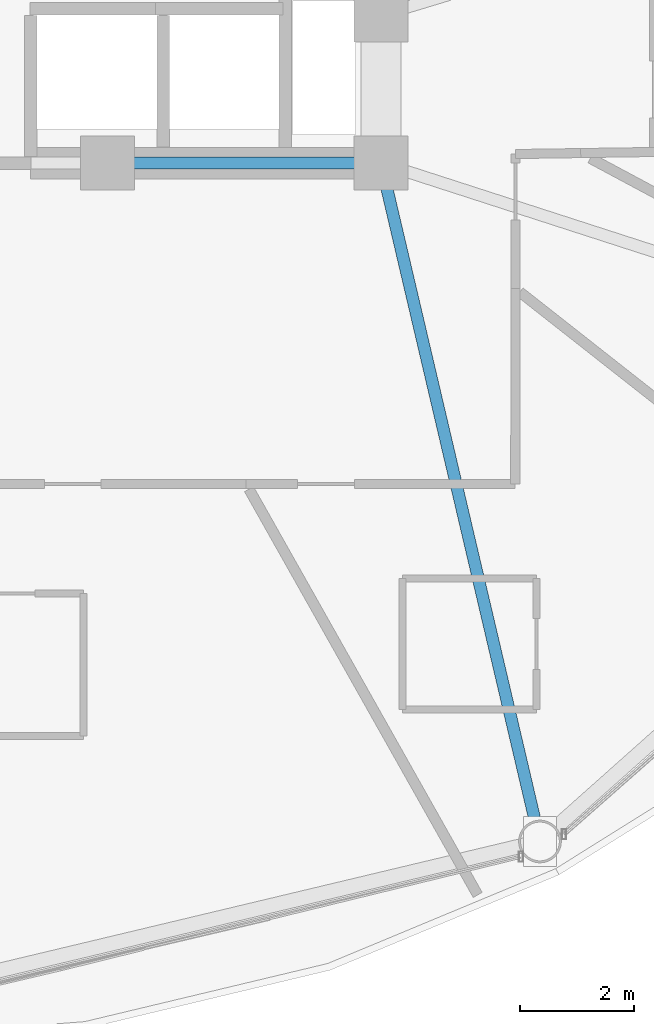
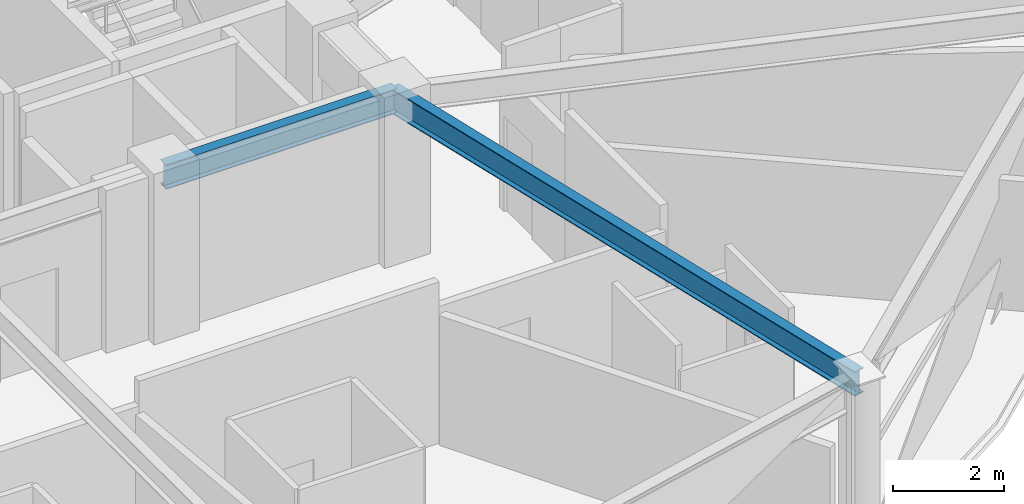
# One storey, part 10 of 30: 2 beams.
"""IFC4 building model written with IfcOpenShell, lengths in metres."""

import ifcopenshell
import ifcopenshell.guid

model = None  # the IFC model being written
_history = None  # IfcOwnerHistory: only IFC2X3 demands one
_inside = {}  # id of a spatial element -> (the spatial element, [elements in it])
_under = {}  # id of a project, library or spatial element -> (it, [spatial elements below it])
_declared = {}  # id of a project -> (the project, [libraries it declares])
_typed = {}  # id of a type object -> (the type object, [elements of that type])
_made_of = {}  # id of a material, layer set ... -> (it, [elements and type objects made of it])


def new_model(schema):
    """Start an empty IFC model of exactly this schema.

    Asked for "IFC4X3", IfcOpenShell would pick the latest addendum, in which some entities
    have other attributes; the version numbers below select the first issue.
    IFC2X3 requires an IfcOwnerHistory on every rooted entity: one is made here for all.
    """
    global model, _history
    if schema == "IFC4X3":
        model = ifcopenshell.file(schema_version=(4, 3, 0, 0))
    else:
        model = ifcopenshell.file(schema=schema)
    _inside.clear()
    _under.clear()
    _declared.clear()
    _typed.clear()
    _made_of.clear()
    _history = None
    if model.schema == "IFC2X3":
        org = make("IfcOrganization", Name="unknown")
        user = make(
            "IfcPersonAndOrganization",
            ThePerson=make("IfcPerson", FamilyName="unknown"),
            TheOrganization=org,
        )
        app = make(
            "IfcApplication",
            ApplicationDeveloper=org,
            Version="unknown",
            ApplicationFullName="unknown",
            ApplicationIdentifier="unknown",
        )
        _history = make(
            "IfcOwnerHistory",
            OwningUser=user,
            OwningApplication=app,
            ChangeAction="ADDED",
            CreationDate=0,
        )
    return model


def make(cls, **values):
    """One entity of the class cls with the attributes given. An attribute that is None is left unset."""
    return model.create_entity(
        cls, **{name: value for name, value in values.items() if value is not None}
    )


def rooted(cls, **values):
    """An entity with a GlobalId (a new one), such as an element, a storey or a relation."""
    return make(cls, GlobalId=ifcopenshell.guid.new(), OwnerHistory=_history, **values)


def si_unit(unit_type, name, prefix=None):
    """IfcSIUnit, for example si_unit("LENGTHUNIT", "METRE", prefix="MILLI")."""
    return make("IfcSIUnit", UnitType=unit_type, Prefix=prefix, Name=name)


def assignment(units):
    """IfcUnitAssignment: the units of a project."""
    return None if units is None else make("IfcUnitAssignment", Units=units)


def point(xyz):
    """IfcCartesianPoint."""
    return None if xyz is None else make("IfcCartesianPoint", Coordinates=xyz)


def direction(xyz):
    """IfcDirection."""
    return None if xyz is None else make("IfcDirection", DirectionRatios=xyz)


def frame(location, z_axis=None, x_axis=None):
    """IfcAxis2Placement3D, a coordinate frame: its origin and axes. An axis left out is left unset."""
    return make(
        "IfcAxis2Placement3D",
        Location=point(location),
        Axis=direction(z_axis),
        RefDirection=direction(x_axis),
    )


def frame_2d(location, x_axis=None):
    """IfcAxis2Placement2D, a coordinate frame in the plane: its origin and x axis."""
    return make(
        "IfcAxis2Placement2D", Location=point(location), RefDirection=direction(x_axis)
    )


def origin():
    """The frame at (0, 0, 0) with its axes left unset."""
    return frame((0.0, 0.0, 0.0))


def origin_2d():
    """The frame at (0, 0) in the plane with its x axis left unset."""
    return frame_2d((0.0, 0.0))


def place(relative_to, where):
    """IfcLocalPlacement: puts the frame where relative to a parent placement (None: the world)."""
    return make(
        "IfcLocalPlacement", PlacementRelTo=relative_to, RelativePlacement=where
    )


def context(
    kind, dimensions, precision=None, world=None, true_north=None, identifier=None
):
    """IfcGeometricRepresentationContext, for example the 3D "Model" context."""
    return make(
        "IfcGeometricRepresentationContext",
        ContextIdentifier=identifier,
        ContextType=kind,
        CoordinateSpaceDimension=dimensions,
        Precision=precision,
        WorldCoordinateSystem=world,
        TrueNorth=true_north,
    )


def subcontext(parent, identifier, kind, view, scale=None):
    """IfcGeometricRepresentationSubContext, for example "Body" below "Model"."""
    return make(
        "IfcGeometricRepresentationSubContext",
        ContextIdentifier=identifier,
        ContextType=kind,
        ParentContext=parent,
        TargetScale=scale,
        TargetView=view,
    )


def project(units=None, contexts=None):
    """IfcProject with its units and contexts."""
    return rooted(
        "IfcProject",
        Name="project",
        RepresentationContexts=contexts,
        UnitsInContext=assignment(units),
    )


def spatial(cls, under=None, at=None, **own):
    """A site, building, storey or space (cls), placed at a placement, below another one or the project."""
    s = rooted(cls, ObjectPlacement=at, **own)
    if under is not None:
        _under.setdefault(under.id(), (under, []))[1].append(s)
    return s


def profile(cls, at=None, kind="AREA", **sizes):
    """A parametric profile (cls). Its sizes go by their IFC names, for example OverallWidth=200.0."""
    return make(cls, ProfileType=kind, Position=at, **sizes)


def i_section(**sizes):
    """IfcIShapeProfileDef."""
    return profile("IfcIShapeProfileDef", **sizes)


def extrude(swept, where, along, depth):
    """IfcExtrudedAreaSolid: the profile swept, set in the frame where, extruded along a direction by depth."""
    return make(
        "IfcExtrudedAreaSolid",
        SweptArea=swept,
        Position=where,
        ExtrudedDirection=direction(along),
        Depth=depth,
    )


def shape(context_of_items, identifier, shape_type, items):
    """IfcShapeRepresentation: the items that make up one representation, for example the "Body"."""
    return make(
        "IfcShapeRepresentation",
        ContextOfItems=context_of_items,
        RepresentationIdentifier=identifier,
        RepresentationType=shape_type,
        Items=items,
    )


def material(Name=None, Category=None):
    """IfcMaterial."""
    return make("IfcMaterial", Name=Name, Category=Category)


def material_profile(
    of_material, cross_section, Name=None, Category=None, Priority=None
):
    """IfcMaterialProfile: a cross section and its material."""
    return make(
        "IfcMaterialProfile",
        Name=Name,
        Material=of_material,
        Profile=cross_section,
        Priority=Priority,
        Category=Category,
    )


def profile_set(profiles, Name=None, composite=None):
    """IfcMaterialProfileSet."""
    return make(
        "IfcMaterialProfileSet",
        Name=Name,
        MaterialProfiles=profiles,
        CompositeProfile=composite,
    )


def made_of(thing, what):
    """Note that an element or type object is made of a material, layer set ...; save() writes the relation."""
    if what is not None:
        _made_of.setdefault(what.id(), (what, []))[1].append(thing)
    return thing


def type_object(cls, material=None, **own):
    """A type object (cls), such as IfcWallType, which elements share."""
    return made_of(rooted(cls, **own), material)


def element(
    cls,
    number,
    at=None,
    inside=None,
    cuts=None,
    type_object=None,
    material=None,
    context=None,
    identifier="Body",
    shape_type=None,
    held_by="IfcProductDefinitionShape",
    body=None,
    shapes=None,
    **own,
):
    """One element of the class cls, such as IfcWall. Its Tag is "e" and its number.

    at: its placement. inside: the storey or other place that contains it. cuts: it is an
    opening in that element (IfcRelVoidsElement). A single representation is given by context,
    identifier, shape_type and body (its items); several are given by shapes. held_by: the class
    of the entity that holds the representations. save() writes the other relations.
    """
    e = rooted(cls, Tag="e%d" % number, ObjectPlacement=at, **own)
    if body is not None:
        shapes = [shape(context, identifier, shape_type, body)]
    if shapes is not None:
        e.Representation = make(held_by, Representations=shapes)
    if inside is not None:
        _inside.setdefault(inside.id(), (inside, []))[1].append(e)
    if cuts is not None:
        rooted(
            "IfcRelVoidsElement", RelatingBuildingElement=cuts, RelatedOpeningElement=e
        )
    if type_object is not None:
        _typed.setdefault(type_object.id(), (type_object, []))[1].append(e)
    return made_of(e, material)


def aggregate(whole, parts):
    """IfcRelAggregates: a whole, such as a stair, and the parts it consists of."""
    return rooted("IfcRelAggregates", RelatingObject=whole, RelatedObjects=parts)


def save(model, path):
    """Write the relations noted so far, then the file.

    IfcRelAggregates (storeys below a building ...), IfcRelContainedInSpatialStructure (elements
    in a storey), IfcRelDefinesByType, IfcRelAssociatesMaterial and IfcRelDeclares: one each for
    every whole, place, type object, material and project.
    """
    for whole, parts in _under.values():
        aggregate(whole, parts)
    for where, things in _inside.values():
        rooted(
            "IfcRelContainedInSpatialStructure",
            RelatedElements=things,
            RelatingStructure=where,
        )
    for kind, things in _typed.values():
        rooted("IfcRelDefinesByType", RelatedObjects=things, RelatingType=kind)
    for what, things in _made_of.values():
        rooted("IfcRelAssociatesMaterial", RelatedObjects=things, RelatingMaterial=what)
    for by, libraries in _declared.values():
        rooted("IfcRelDeclares", RelatingContext=by, RelatedDefinitions=libraries)
    model.write(path)


model = new_model("IFC4")

# Units and contexts
model_context = context("Model", 3, precision=1e-05, world=origin(), true_north=direction((0.0, 1.0)))
body_context = subcontext(model_context, "Body", "Model", "MODEL_VIEW")
ifc_project = project(units=[si_unit("LENGTHUNIT", "METRE"), si_unit("AREAUNIT", "SQUARE_METRE"), si_unit("VOLUMEUNIT", "CUBIC_METRE"), si_unit("PLANEANGLEUNIT", "RADIAN"), si_unit("MASSUNIT", "GRAM", prefix="KILO")], contexts=[model_context])

# Site, building, storey
site_placement = place(None, origin())
site = spatial("IfcSite", under=ifc_project, at=site_placement, CompositionType="ELEMENT")
building_placement = place(site_placement, origin())
building = spatial("IfcBuilding", under=site, at=building_placement, Name="Vantalir Tower", CompositionType="ELEMENT")
storey_placement = place(building_placement, frame((0.0, 0.0, 153.449951171875)))
storey = spatial("IfcBuildingStorey", under=building, at=storey_placement, Name="L38", CompositionType="ELEMENT", Elevation=153.449951171875)

# Beams
ifc_material = material(Name="Steel S355", Category="steel")
ifc_material_profile = material_profile(ifc_material, i_section(OverallWidth=0.2109375, OverallDepth=0.5390625, WebThickness=0.01171875, FlangeThickness=0.018798828125, at=origin_2d()), Name="Steel S355")
ifc_profile_set = profile_set([ifc_material_profile], Name="Steel S355")
beam_type = type_object("IfcBeamType", Name="BM-RB-533x210", PredefinedType="BEAM", material=ifc_profile_set)
beam_1_placement = place(storey_placement, frame((36.300048828125, 17.800048828125, 3.301025390625), z_axis=(1.0, 0.0, 0.0), x_axis=(0.0, 1.0, 0.0)))
element("IfcBeam", 1, at=beam_1_placement, inside=storey, type_object=beam_type, Name="L38 Core Coupling Girder 04", PredefinedType="BEAM", context=body_context, shape_type="SweptSolid", body=[
    extrude(i_section(OverallWidth=0.2109375, OverallDepth=0.5390625, WebThickness=0.01171875, FlangeThickness=0.018798828125, at=origin_2d()), origin(), (0.0, 0.0, 1.0), 4.800048828125),
])
beam_2_placement = place(storey_placement, frame((43.89208984375, 5.887939453125, 3.301025390625), z_axis=(-0.228198416036, 0.973614648061, 0.0), x_axis=(-0.973614648061, -0.228198416036, 0.0)))
element("IfcBeam", 2, at=beam_2_placement, inside=storey, type_object=beam_type, Name="L38 Radial Floor Beam 11", PredefinedType="BEAM", context=body_context, shape_type="SweptSolid", body=[
    extrude(i_section(OverallWidth=0.2109375, OverallDepth=0.5390625, WebThickness=0.01171875, FlangeThickness=0.018798828125, at=origin_2d()), origin(), (0.0, 0.0, 1.0), 12.23486328125),
])

save(model, "model.ifc")
